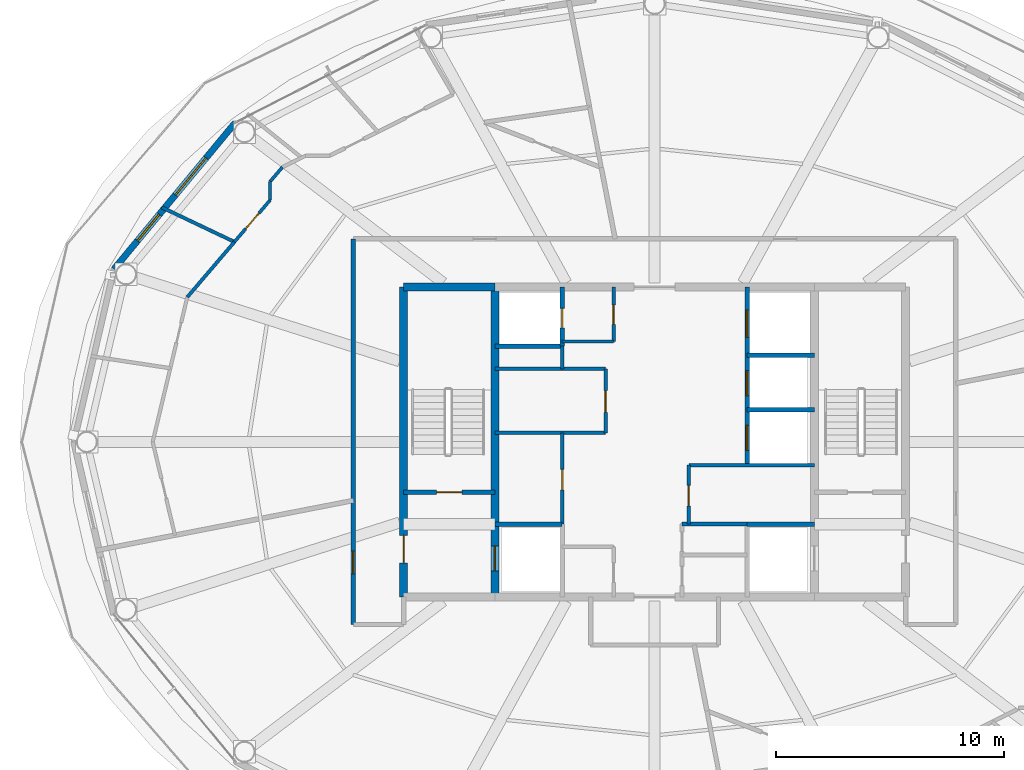
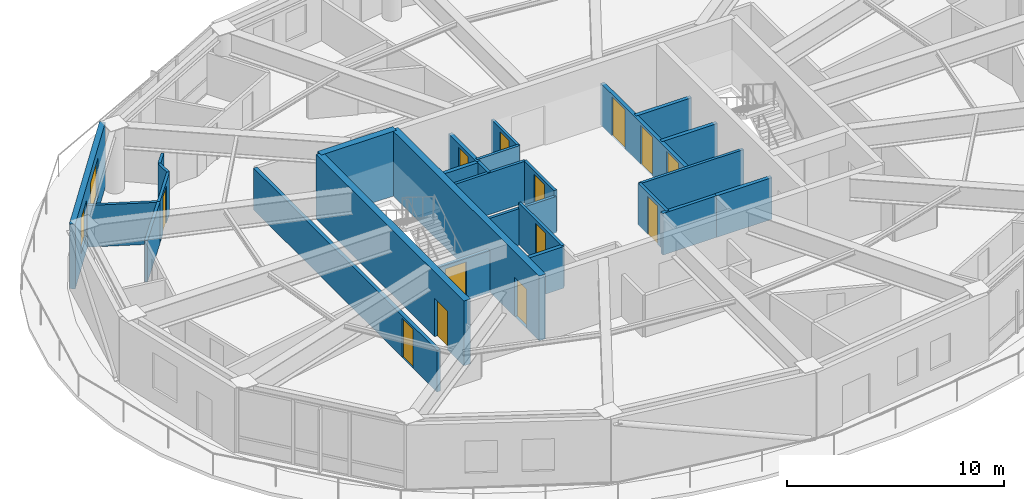
# One storey, part 19 of 24: 28 walls, 13 doors, 2 windows, 15 openings.
"""IFC4 building model written with IfcOpenShell, lengths in metres."""

from ifc_helpers import new_model, si_unit, direction, frame, frame_2d, origin, place, context, subcontext, project, spatial, rectangle, extrude, material, layer, layer_set, type_object, element, fill, save


model = new_model("IFC4")

# Units and contexts
model_context = context("Model", 3, precision=1e-05, world=origin(), true_north=direction((0.0, 1.0)))
body_context = subcontext(model_context, "Body", "Model", "MODEL_VIEW")
ifc_project = project(units=[si_unit("LENGTHUNIT", "METRE"), si_unit("AREAUNIT", "SQUARE_METRE"), si_unit("VOLUMEUNIT", "CUBIC_METRE"), si_unit("PLANEANGLEUNIT", "RADIAN"), si_unit("MASSUNIT", "GRAM", prefix="KILO")], contexts=[model_context])

# Site, building, storey
site_placement = place(None, origin())
site = spatial("IfcSite", under=ifc_project, at=site_placement, CompositionType="ELEMENT")
building_placement = place(site_placement, origin())
building = spatial("IfcBuilding", under=site, at=building_placement, Name="Sarneth Arch Tower", CompositionType="ELEMENT")
storey_placement = place(building_placement, frame((0.0, 0.0, 312.60009765625)))
storey = spatial("IfcBuildingStorey", under=building, at=storey_placement, Name="L81", CompositionType="ELEMENT", Elevation=312.60009765625)

# Wall
ifc_material_1 = material(Name="Concrete C50/60", Category="concrete")
ifc_layer_1 = layer(ifc_material_1, 0.35009765625)
ifc_layer_set_1 = layer_set([ifc_layer_1], Name="Concrete C50/60")
wall_type_1 = type_object("IfcWallType", Name="WALL-CORE-350", PredefinedType="SHEAR", material=ifc_layer_set_1)
wall_1_placement = place(storey_placement, frame((37.0, 48.800048828125, 0.0), z_axis=(0.0, 0.0, 1.0), x_axis=(1.0, 0.0, 0.0)))
element("IfcWall", 1, at=wall_1_placement, inside=storey, type_object=wall_type_1, Name="L81 Core shear wall N-W", PredefinedType="SHEAR", context=body_context, shape_type="SweptSolid", body=[
    extrude(rectangle(XDim=4.0, YDim=0.35009765625, at=frame_2d((2.0, 0.0))), origin(), (0.0, 0.0, 1.0), 3.639892578125),
])

# Wall, opening, door
wall_2_placement = place(storey_placement, frame((37.0, 35.199951171875, 0.0), z_axis=(0.0, 0.0, 1.0), x_axis=(0.0, 1.0, 0.0)))
wall_2 = element("IfcWall", 2, at=wall_2_placement, inside=storey, type_object=wall_type_1, Name="L81 Core shear wall W", PredefinedType="SHEAR", context=body_context, shape_type="SweptSolid", body=[
    extrude(rectangle(XDim=13.60009765625, YDim=0.35009765625, at=frame_2d((6.800048828125, 0.0))), origin(), (0.0, 0.0, 1.0), 3.639892578125),
])
opening_1_placement = place(wall_2_placement, frame((1.5, 0.0, 0.0)))
opening_1 = element("IfcOpeningElement", 3, at=opening_1_placement, cuts=wall_2, Name="Opening FD-02", PredefinedType="OPENING", context=body_context, shape_type="SweptSolid", body=[
    extrude(rectangle(XDim=1.199951171875, YDim=2.14990234375, at=frame_2d((0.60009765625, 1.074951171875))), frame((0.0, 0.18505859375, 0.0), z_axis=(0.0, -1.0, 0.0), x_axis=(1.0, 0.0, 0.0)), (0.0, 0.0, 1.0), 0.3701171875),
])
ifc_material_2 = material(Name="Galvanised Steel S275 fire door set", Category="steel")
door_type_1 = type_object("IfcDoorType", Name="DR-FD90-1200", OperationType="SINGLE_SWING_LEFT", PredefinedType="DOOR", material=ifc_material_2)
door_1_placement = place(opening_1_placement, origin())
door_1 = element("IfcDoor", 4, at=door_1_placement, inside=storey, type_object=door_type_1, Name="L81 Firefighting lobby 1 exit door", OperationType="SINGLE_SWING_LEFT", OverallHeight=2.14990234375, OverallWidth=1.199951171875, PredefinedType="DOOR", context=body_context, shape_type="SweptSolid", body=[
    extrude(rectangle(XDim=1.199951171875, YDim=2.14990234375, at=frame_2d((0.60009765625, 1.074951171875))), frame((0.0, 0.02490234375, 0.0), z_axis=(0.0, -1.0, 0.0), x_axis=(1.0, 0.0, 0.0)), (0.0, 0.0, 1.0), 0.050048828125),
])
fill(opening_1, door_1)

wall_3_placement = place(storey_placement, frame((41.0, 35.199951171875, 0.0), z_axis=(0.0, 0.0, 1.0), x_axis=(0.0, 1.0, 0.0)))
wall_3 = element("IfcWall", 5, at=wall_3_placement, inside=storey, type_object=wall_type_1, Name="L81 Core shear wall WEB-W", PredefinedType="SHEAR", context=body_context, shape_type="SweptSolid", body=[
    extrude(rectangle(XDim=13.60009765625, YDim=0.35009765625, at=frame_2d((6.800048828125, 0.0))), origin(), (0.0, 0.0, 1.0), 3.639892578125),
])
opening_2_placement = place(wall_3_placement, frame((1.14990234375, 0.0, 0.0)))
opening_2 = element("IfcOpeningElement", 6, at=opening_2_placement, cuts=wall_3, Name="Opening LD-1", PredefinedType="OPENING", context=body_context, shape_type="SweptSolid", body=[
    extrude(rectangle(XDim=1.10009765625, YDim=2.199951171875, at=frame_2d((0.550048828125, 1.10009765625))), frame((0.0, 0.18505859375, 0.0), z_axis=(0.0, -1.0, 0.0), x_axis=(1.0, 0.0, 0.0)), (0.0, 0.0, 1.0), 0.3701171875),
])
ifc_material_3 = material(Name="Brushed Stainless Steel 304 lift landing door", Category="steel")
door_type_2 = type_object("IfcDoorType", Name="DR-LIFT-SLIDE-1100", OperationType="SLIDING_TO_LEFT", PredefinedType="DOOR", material=ifc_material_3)
door_2_placement = place(opening_2_placement, origin())
door_2 = element("IfcDoor", 7, at=door_2_placement, inside=storey, type_object=door_type_2, Name="L81 Firefighting lift landing door FL-1", OperationType="SLIDING_TO_LEFT", OverallHeight=2.199951171875, OverallWidth=1.10009765625, PredefinedType="DOOR", context=body_context, shape_type="SweptSolid", body=[
    extrude(rectangle(XDim=1.10009765625, YDim=2.199951171875, at=frame_2d((0.550048828125, 1.10009765625))), frame((0.0, 0.02490234375, 0.0), z_axis=(0.0, -1.0, 0.0), x_axis=(1.0, 0.0, 0.0)), (0.0, 0.0, 1.0), 0.050048828125),
])
fill(opening_2, door_2)

ifc_material_4 = material(Name="Double steel-stud corridor fire wall", Category="steel")
ifc_layer_2 = layer(ifc_material_4, 0.18994140625)
ifc_layer_set_2 = layer_set([ifc_layer_2], Name="Double steel-stud corridor fire wall")
wall_type_2 = type_object("IfcWallType", Name="WALL-CORR-190", PredefinedType="PARTITIONING", material=ifc_layer_set_2)
wall_4_placement = place(storey_placement, frame((34.800048828125, 34.0, 0.0), z_axis=(0.0, 0.0, 1.0), x_axis=(0.0, 1.0, 0.0)))
wall_4 = element("IfcWall", 8, at=wall_4_placement, inside=storey, type_object=wall_type_2, Name="L81 Interior partition W-L81-TP-003", PredefinedType="PARTITIONING", context=body_context, shape_type="SweptSolid", body=[
    extrude(rectangle(XDim=16.89990234375, YDim=0.18994140625, at=frame_2d((8.449951171875, 0.0))), origin(), (0.0, 0.0, 1.0), 2.33984375),
])
opening_3_placement = place(wall_4_placement, frame((2.217041015625, 0.0, 0.0)))
opening_3 = element("IfcOpeningElement", 9, at=opening_3_placement, cuts=wall_4, Name="Opening FD-08", PredefinedType="OPENING", context=body_context, shape_type="SweptSolid", body=[
    extrude(rectangle(XDim=1.0, YDim=2.199951171875, at=frame_2d((0.5, 1.10009765625))), frame((0.0, 0.10498046875, 0.0), z_axis=(0.0, -1.0, 0.0), x_axis=(1.0, 0.0, 0.0)), (0.0, 0.0, 1.0), 0.2099609375),
])
ifc_material_5 = material(Name="Hardwood timber acoustic fire door", Category="wood")
door_type_3 = type_object("IfcDoorType", Name="DR-FD60-1000", OperationType="SINGLE_SWING_LEFT", PredefinedType="DOOR", material=ifc_material_5)
door_3_placement = place(opening_3_placement, origin())
door_3 = element("IfcDoor", 10, at=door_3_placement, inside=storey, type_object=door_type_3, Name="L81 Interior door DR-L81-RAMN-03", OperationType="SINGLE_SWING_LEFT", OverallHeight=2.199951171875, OverallWidth=1.0, PredefinedType="DOOR", context=body_context, shape_type="SweptSolid", body=[
    extrude(rectangle(XDim=1.0, YDim=2.199951171875, at=frame_2d((0.5, 1.10009765625))), frame((0.0, 0.02490234375, 0.0), z_axis=(0.0, -1.0, 0.0), x_axis=(1.0, 0.0, 0.0)), (0.0, 0.0, 1.0), 0.050048828125),
])
fill(opening_3, door_3)

# Wall, openings, windows
ifc_material_6 = material(Name="Extruded terracotta rainscreen on Concrete C40/50 backing", Category="masonry")
ifc_layer_3 = layer(ifc_material_6, 0.280029296875)
ifc_layer_set_3 = layer_set([ifc_layer_3], Name="Extruded terracotta rainscreen on Concrete C40/50 backing")
wall_type_3 = type_object("IfcWallType", Name="WALL-EXT-TERRA-280", PredefinedType="SOLIDWALL", material=ifc_layer_set_3)
wall_5_placement = place(storey_placement, frame((29.617431640625, 55.986572265625, 0.0), z_axis=(0.0, 0.0, 1.0), x_axis=(-0.63761509934, -0.770355103243, 0.0)))
wall_5 = element("IfcWall", 11, at=wall_5_placement, inside=storey, type_object=wall_type_3, Name="L81 Terracotta perimeter wall 07", PredefinedType="SOLIDWALL", context=body_context, shape_type="SweptSolid", body=[
    extrude(rectangle(XDim=8.329833984375, YDim=0.280029296875, at=frame_2d((4.1650390625, 0.0))), origin(), (0.0, 0.0, 1.0), 3.639892578125),
])
opening_4_placement = place(wall_5_placement, frame((2.005615234375, 0.0, 0.85009765625)))
opening_4 = element("IfcOpeningElement", 12, at=opening_4_placement, cuts=wall_5, Name="Opening W-03", PredefinedType="OPENING", context=body_context, shape_type="SweptSolid", body=[
    extrude(rectangle(XDim=2.10009765625, YDim=2.199951171875, at=frame_2d((1.050048828125, 1.10009765625))), frame((0.0, 0.14990234375, 0.0), z_axis=(0.0, -1.0, 0.0), x_axis=(1.0, 0.0, 0.0)), (0.0, 0.0, 1.0), 0.300048828125),
])
opening_5_placement = place(wall_5_placement, frame((5.210693359375, 0.0, 0.85009765625)))
opening_5 = element("IfcOpeningElement", 13, at=opening_5_placement, cuts=wall_5, Name="Opening W-06", PredefinedType="OPENING", context=body_context, shape_type="SweptSolid", body=[
    extrude(rectangle(XDim=1.5, YDim=2.0, at=frame_2d((0.75, 1.0))), frame((0.0, 0.14990234375, 0.0), z_axis=(0.0, -1.0, 0.0), x_axis=(1.0, 0.0, 0.0)), (0.0, 0.0, 1.0), 0.300048828125),
])
ifc_material_7 = material(Name="Thermally broken Aluminium 6063-T6 and low-e laminated IGU", Category="aluminium")
window_type_1 = type_object("IfcWindowType", Name="WIN-TWR-1500x2000", PartitioningType="SINGLE_PANEL", PredefinedType="WINDOW", material=ifc_material_7)
window_1_placement = place(opening_5_placement, origin())
window_1 = element("IfcWindow", 14, at=window_1_placement, inside=storey, type_object=window_type_1, Name="L81 Exterior window 07B", OverallHeight=2.0, OverallWidth=1.5, PartitioningType="SINGLE_PANEL", PredefinedType="WINDOW", context=body_context, shape_type="SweptSolid", body=[
    extrude(rectangle(XDim=1.5, YDim=2.0, at=frame_2d((0.75, 1.0))), frame((0.0, 0.030029296875, 0.0), z_axis=(0.0, -1.0, 0.0), x_axis=(1.0, 0.0, 0.0)), (0.0, 0.0, 1.0), 0.06005859375),
])
fill(opening_5, window_1)
ifc_material_8 = material(Name="Thermally broken Aluminium 6063-T6 and low-e laminated IGU", Category="aluminium")
window_type_2 = type_object("IfcWindowType", Name="WIN-TWR-2100x2200", PartitioningType="DOUBLE_PANEL_VERTICAL", PredefinedType="WINDOW", material=ifc_material_8)
window_2_placement = place(opening_4_placement, origin())
window_2 = element("IfcWindow", 15, at=window_2_placement, inside=storey, type_object=window_type_2, Name="L81 Exterior window 07A", OverallHeight=2.199951171875, OverallWidth=2.10009765625, PartitioningType="SINGLE_PANEL", PredefinedType="WINDOW", context=body_context, shape_type="SweptSolid", body=[
    extrude(rectangle(XDim=2.10009765625, YDim=2.199951171875, at=frame_2d((1.050048828125, 1.10009765625))), frame((0.0, 0.030029296875, 0.0), z_axis=(0.0, -1.0, 0.0), x_axis=(1.0, 0.0, 0.0)), (0.0, 0.0, 1.0), 0.06005859375),
])
fill(opening_4, window_2)

# Wall, opening, door
ifc_material_9 = material(Name="Apartment internal stud partition", Category="gypsum")
ifc_layer_4 = layer(ifc_material_9, 0.139892578125)
ifc_layer_set_4 = layer_set([ifc_layer_4], Name="Apartment internal stud partition")
wall_type_4 = type_object("IfcWallType", Name="WALL-PART-140", PredefinedType="PARTITIONING", material=ifc_layer_set_4)
wall_6_placement = place(storey_placement, frame((31.14990234375, 52.598876953125, 0.0), z_axis=(0.0, 0.0, 1.0), x_axis=(-0.649188051026, -0.760627947426, 0.0)))
wall_6 = element("IfcWall", 16, at=wall_6_placement, inside=storey, type_object=wall_type_4, Name="L81 Interior partition W-L81-TP-030", PredefinedType="PARTITIONING", context=body_context, shape_type="SweptSolid", body=[
    extrude(rectangle(XDim=2.409912109375, YDim=0.139892578125, at=frame_2d((1.205078125, 0.0))), origin(), (0.0, 0.0, 1.0), 2.33984375),
])
opening_6_placement = place(wall_6_placement, frame((0.7548828125, 0.0, 0.0)))
opening_6 = element("IfcOpeningElement", 17, at=opening_6_placement, cuts=wall_6, Name="Opening ID-01", PredefinedType="OPENING", context=body_context, shape_type="SweptSolid", body=[
    extrude(rectangle(XDim=0.89990234375, YDim=2.10009765625, at=frame_2d((0.449951171875, 1.050048828125))), frame((0.0, 0.079833984375, 0.0), z_axis=(0.0, -1.0, 0.0), x_axis=(1.0, 0.0, 0.0)), (0.0, 0.0, 1.0), 0.159912109375),
])
ifc_material_10 = material(Name="Engineered hardwood flush door", Category="wood")
door_type_4 = type_object("IfcDoorType", Name="DR-INT-900", OperationType="SINGLE_SWING_LEFT", PredefinedType="DOOR", material=ifc_material_10)
door_4_placement = place(opening_6_placement, origin())
door_4 = element("IfcDoor", 18, at=door_4_placement, inside=storey, type_object=door_type_4, Name="L81 Interior door DR-L81-U2-BED1", OperationType="SINGLE_SWING_LEFT", OverallHeight=2.10009765625, OverallWidth=0.89990234375, PredefinedType="DOOR", context=body_context, shape_type="SweptSolid", body=[
    extrude(rectangle(XDim=0.89990234375, YDim=2.10009765625, at=frame_2d((0.449951171875, 1.050048828125))), frame((0.0, 0.02490234375, 0.0), z_axis=(0.0, -1.0, 0.0), x_axis=(1.0, 0.0, 0.0)), (0.0, 0.0, 1.0), 0.050048828125),
])
fill(opening_6, door_4)

# Walls
wall_7_placement = place(storey_placement, frame((31.68896484375, 54.0419921875, 0.0), z_axis=(0.0, 0.0, 1.0), x_axis=(-0.649191857323, -0.760624698774, 0.0)))
element("IfcWall", 19, at=wall_7_placement, inside=storey, type_object=wall_type_4, Name="L81 Interior partition W-L81-TP-028", PredefinedType="PARTITIONING", context=body_context, shape_type="SweptSolid", body=[
    extrude(rectangle(XDim=0.830322265625, YDim=0.139892578125, at=frame_2d((0.4150390625, 0.0))), origin(), (0.0, 0.0, 1.0), 2.33984375),
])
wall_8_placement = place(storey_placement, frame((31.14990234375, 53.410400390625, 0.0), z_axis=(0.0, 0.0, 1.0), x_axis=(0.0, -1.0, 0.0)))
element("IfcWall", 20, at=wall_8_placement, inside=storey, type_object=wall_type_4, Name="L81 Interior partition W-L81-TP-029", PredefinedType="PARTITIONING", context=body_context, shape_type="SweptSolid", body=[
    extrude(rectangle(XDim=0.8115234375, YDim=0.139892578125, at=frame_2d((0.40576171875, 0.0))), origin(), (0.0, 0.0, 1.0), 2.33984375),
])

# Wall, opening, door
ifc_material_11 = material(Name="Acoustic gypsum stud partition", Category="gypsum")
ifc_layer_5 = layer(ifc_material_11, 0.14990234375)
ifc_layer_set_5 = layer_set([ifc_layer_5], Name="Acoustic gypsum stud partition")
wall_type_5 = type_object("IfcWallType", Name="WALL-PART-150", PredefinedType="PARTITIONING", material=ifc_layer_set_5)
wall_9_placement = place(storey_placement, frame((43.949951171875, 38.39990234375, 0.0), z_axis=(0.0, 0.0, 1.0), x_axis=(0.0, 1.0, 0.0)))
wall_9 = element("IfcWall", 21, at=wall_9_placement, inside=storey, type_object=wall_type_5, Name="L81 Interior partition W-L81-RECPL-E", PredefinedType="PARTITIONING", context=body_context, shape_type="SweptSolid", body=[
    extrude(rectangle(XDim=4.0, YDim=0.14990234375, at=frame_2d((2.0, 0.0))), origin(), (0.0, 0.0, 1.0), 2.33984375),
])
opening_7_placement = place(wall_9_placement, frame((1.5, 0.0, 0.0)))
opening_7 = element("IfcOpeningElement", 22, at=opening_7_placement, cuts=wall_9, Name="Opening FD-10", PredefinedType="OPENING", context=body_context, shape_type="SweptSolid", body=[
    extrude(rectangle(XDim=0.89990234375, YDim=2.14990234375, at=frame_2d((0.449951171875, 1.074951171875))), frame((0.0, 0.0849609375, 0.0), z_axis=(0.0, -1.0, 0.0), x_axis=(1.0, 0.0, 0.0)), (0.0, 0.0, 1.0), 0.169921875),
])
ifc_material_12 = material(Name="Galvanised Steel S275 riser/service fire door", Category="steel")
door_type_5 = type_object("IfcDoorType", Name="DR-FD60-900", OperationType="SINGLE_SWING_LEFT", PredefinedType="DOOR", material=ifc_material_12)
door_5_placement = place(opening_7_placement, origin())
door_5 = element("IfcDoor", 23, at=door_5_placement, inside=storey, type_object=door_type_5, Name="L81 Interior door DR-L81-RECPL", OperationType="SINGLE_SWING_LEFT", OverallHeight=2.14990234375, OverallWidth=0.89990234375, PredefinedType="DOOR", context=body_context, shape_type="SweptSolid", body=[
    extrude(rectangle(XDim=0.89990234375, YDim=2.14990234375, at=frame_2d((0.449951171875, 1.074951171875))), frame((0.0, 0.02490234375, 0.0), z_axis=(0.0, -1.0, 0.0), x_axis=(1.0, 0.0, 0.0)), (0.0, 0.0, 1.0), 0.050048828125),
])
fill(opening_7, door_5)

# Walls
wall_10_placement = place(storey_placement, frame((41.0, 42.39990234375, 0.0), z_axis=(0.0, 0.0, 1.0), x_axis=(1.0, 0.0, 0.0)))
element("IfcWall", 24, at=wall_10_placement, inside=storey, type_object=wall_type_5, Name="L81 Interior partition W-L81-RECPM1-S", PredefinedType="PARTITIONING", context=body_context, shape_type="SweptSolid", body=[
    extrude(rectangle(XDim=4.85009765625, YDim=0.14990234375, at=frame_2d((2.425048828125, 0.0))), origin(), (0.0, 0.0, 1.0), 2.039794921875),
])
wall_11_placement = place(storey_placement, frame((41.0, 45.199951171875, 0.0), z_axis=(0.0, 0.0, 1.0), x_axis=(1.0, 0.0, 0.0)))
element("IfcWall", 25, at=wall_11_placement, inside=storey, type_object=wall_type_5, Name="L81 Interior partition W-L81-RECPM1-N", PredefinedType="PARTITIONING", context=body_context, shape_type="SweptSolid", body=[
    extrude(rectangle(XDim=4.85009765625, YDim=0.14990234375, at=frame_2d((2.425048828125, 0.0))), origin(), (0.0, 0.0, 1.0), 2.33984375),
])
wall_12_placement = place(storey_placement, frame((43.949951171875, 45.199951171875, 0.0), z_axis=(0.0, 0.0, 1.0), x_axis=(0.0, 1.0, 0.0)))
element("IfcWall", 26, at=wall_12_placement, inside=storey, type_object=wall_type_5, Name="L81 Interior partition W-L81-RECPM1-W2", PredefinedType="PARTITIONING", context=body_context, shape_type="SweptSolid", body=[
    extrude(rectangle(XDim=1.0, YDim=0.14990234375, at=frame_2d((0.5, 0.0))), origin(), (0.0, 0.0, 1.0), 2.33984375),
])

# Wall, opening, door
wall_13_placement = place(storey_placement, frame((45.85009765625, 42.39990234375, 0.0), z_axis=(0.0, 0.0, 1.0), x_axis=(0.0, 1.0, 0.0)))
wall_13 = element("IfcWall", 27, at=wall_13_placement, inside=storey, type_object=wall_type_5, Name="L81 Interior partition W-L81-RECPM1-E", PredefinedType="PARTITIONING", context=body_context, shape_type="SweptSolid", body=[
    extrude(rectangle(XDim=2.800048828125, YDim=0.14990234375, at=frame_2d((1.39990234375, 0.0))), origin(), (0.0, 0.0, 1.0), 2.33984375),
])
opening_8_placement = place(wall_13_placement, frame((0.89990234375, 0.0, 0.0)))
opening_8 = element("IfcOpeningElement", 28, at=opening_8_placement, cuts=wall_13, Name="Opening FD-09", PredefinedType="OPENING", context=body_context, shape_type="SweptSolid", body=[
    extrude(rectangle(XDim=0.949951171875, YDim=2.14990234375, at=frame_2d((0.47509765625, 1.074951171875))), frame((0.0, 0.0849609375, 0.0), z_axis=(0.0, -1.0, 0.0), x_axis=(1.0, 0.0, 0.0)), (0.0, 0.0, 1.0), 0.169921875),
])
ifc_material_13 = material(Name="Hardwood timber hotel entrance fire door", Category="wood")
door_type_6 = type_object("IfcDoorType", Name="DR-FD60-950", OperationType="SINGLE_SWING_RIGHT", PredefinedType="DOOR", material=ifc_material_13)
door_6_placement = place(opening_8_placement, origin())
door_6 = element("IfcDoor", 29, at=door_6_placement, inside=storey, type_object=door_type_6, Name="L81 Interior door DR-L81-RECPM1", OperationType="SINGLE_SWING_RIGHT", OverallHeight=2.14990234375, OverallWidth=0.949951171875, PredefinedType="DOOR", context=body_context, shape_type="SweptSolid", body=[
    extrude(rectangle(XDim=0.949951171875, YDim=2.14990234375, at=frame_2d((0.47509765625, 1.074951171875))), frame((0.0, 0.02490234375, 0.0), z_axis=(0.0, -1.0, 0.0), x_axis=(1.0, 0.0, 0.0)), (0.0, 0.0, 1.0), 0.050048828125),
])
fill(opening_8, door_6)

# Wall
wall_14_placement = place(storey_placement, frame((49.5, 40.97998046875, 0.0), z_axis=(0.0, 0.0, 1.0), x_axis=(1.0, 0.0, 0.0)))
element("IfcWall", 30, at=wall_14_placement, inside=storey, type_object=wall_type_5, Name="L81 Interior partition W-L81-RECPM2-N", PredefinedType="PARTITIONING", context=body_context, shape_type="SweptSolid", body=[
    extrude(rectangle(XDim=5.5, YDim=0.14990234375, at=frame_2d((2.75, 0.0))), origin(), (0.0, 0.0, 1.0), 2.33984375),
])

# Wall, opening, door
wall_15_placement = place(storey_placement, frame((49.5, 38.39990234375, 0.0), z_axis=(0.0, 0.0, 1.0), x_axis=(0.0, 1.0, 0.0)))
wall_15 = element("IfcWall", 31, at=wall_15_placement, inside=storey, type_object=wall_type_5, Name="L81 Interior partition W-L81-RECPM2-W", PredefinedType="PARTITIONING", context=body_context, shape_type="SweptSolid", body=[
    extrude(rectangle(XDim=2.580078125, YDim=0.14990234375, at=frame_2d((1.2900390625, 0.0))), origin(), (0.0, 0.0, 1.0), 2.33984375),
])
opening_9_placement = place(wall_15_placement, frame((0.800048828125, 0.0, 0.0)))
opening_9 = element("IfcOpeningElement", 32, at=opening_9_placement, cuts=wall_15, Name="Opening FD-10", PredefinedType="OPENING", context=body_context, shape_type="SweptSolid", body=[
    extrude(rectangle(XDim=0.89990234375, YDim=2.14990234375, at=frame_2d((0.449951171875, 1.074951171875))), frame((0.0, 0.0849609375, 0.0), z_axis=(0.0, -1.0, 0.0), x_axis=(1.0, 0.0, 0.0)), (0.0, 0.0, 1.0), 0.169921875),
])
door_7_placement = place(opening_9_placement, origin())
door_7 = element("IfcDoor", 33, at=door_7_placement, inside=storey, type_object=door_type_5, Name="L81 Interior door DR-L81-RECPM2", OperationType="SINGLE_SWING_LEFT", OverallHeight=2.14990234375, OverallWidth=0.89990234375, PredefinedType="DOOR", context=body_context, shape_type="SweptSolid", body=[
    extrude(rectangle(XDim=0.89990234375, YDim=2.14990234375, at=frame_2d((0.449951171875, 1.074951171875))), frame((0.0, 0.02490234375, 0.0), z_axis=(0.0, -1.0, 0.0), x_axis=(1.0, 0.0, 0.0)), (0.0, 0.0, 1.0), 0.050048828125),
])
fill(opening_9, door_7)

# Wall
wall_16_placement = place(storey_placement, frame((43.949951171875, 46.39990234375, 0.0), z_axis=(0.0, 0.0, 1.0), x_axis=(1.0, 0.0, 0.0)))
element("IfcWall", 34, at=wall_16_placement, inside=storey, type_object=wall_type_5, Name="L81 Interior partition W-L81-CSUP2-S", PredefinedType="PARTITIONING", context=body_context, shape_type="SweptSolid", body=[
    extrude(rectangle(XDim=2.25, YDim=0.14990234375, at=frame_2d((1.125, 0.0))), origin(), (0.0, 0.0, 1.0), 2.33984375),
])

# Wall, opening, door
wall_17_placement = place(storey_placement, frame((46.199951171875, 46.39990234375, 0.0), z_axis=(0.0, 0.0, 1.0), x_axis=(0.0, 1.0, 0.0)))
wall_17 = element("IfcWall", 35, at=wall_17_placement, inside=storey, type_object=wall_type_5, Name="L81 Interior partition W-L81-CSUP2-E", PredefinedType="PARTITIONING", context=body_context, shape_type="SweptSolid", body=[
    extrude(rectangle(XDim=2.400146484375, YDim=0.14990234375, at=frame_2d((1.2001953125, 0.0))), origin(), (0.0, 0.0, 1.0), 2.33984375),
])
opening_10_placement = place(wall_17_placement, frame((0.75, 0.0, 0.0)))
opening_10 = element("IfcOpeningElement", 36, at=opening_10_placement, cuts=wall_17, Name="Opening FD-11", PredefinedType="OPENING", context=body_context, shape_type="SweptSolid", body=[
    extrude(rectangle(XDim=0.85009765625, YDim=2.14990234375, at=frame_2d((0.425048828125, 1.074951171875))), frame((0.0, 0.0849609375, 0.0), z_axis=(0.0, -1.0, 0.0), x_axis=(1.0, 0.0, 0.0)), (0.0, 0.0, 1.0), 0.169921875),
])
ifc_material_14 = material(Name="Galvanised Steel S275 closet fire door", Category="steel")
door_type_7 = type_object("IfcDoorType", Name="DR-FD60-850", OperationType="SINGLE_SWING_LEFT", PredefinedType="DOOR", material=ifc_material_14)
door_8_placement = place(opening_10_placement, origin())
door_8 = element("IfcDoor", 37, at=door_8_placement, inside=storey, type_object=door_type_7, Name="L81 Interior door DR-L81-CSUP2", OperationType="SINGLE_SWING_RIGHT", OverallHeight=2.14990234375, OverallWidth=0.85009765625, PredefinedType="DOOR", context=body_context, shape_type="SweptSolid", body=[
    extrude(rectangle(XDim=0.85009765625, YDim=2.14990234375, at=frame_2d((0.425048828125, 1.074951171875))), frame((0.0, 0.02490234375, 0.0), z_axis=(0.0, -1.0, 0.0), x_axis=(1.0, 0.0, 0.0)), (0.0, 0.0, 1.0), 0.050048828125),
])
fill(opening_10, door_8)

# Walls
wall_18_placement = place(storey_placement, frame((26.400390625, 52.281982421875, 0.0), z_axis=(0.0, 0.0, 1.0), x_axis=(0.902924474477, -0.429799247777, 0.0)))
element("IfcWall", 38, at=wall_18_placement, inside=storey, type_object=wall_type_5, Name="L81 Interior partition W-L81-TP-038", PredefinedType="PARTITIONING", context=body_context, shape_type="SweptSolid", body=[
    extrude(rectangle(XDim=3.527587890625, YDim=0.14990234375, at=frame_2d((1.763671875, 0.0))), origin(), (0.0, 0.0, 1.0), 2.33984375),
])
wall_19_placement = place(storey_placement, frame((29.58544921875, 50.765869140625, 0.0), z_axis=(0.0, 0.0, 1.0), x_axis=(-0.649223419945, -0.760597759, 0.0)))
element("IfcWall", 39, at=wall_19_placement, inside=storey, type_object=wall_type_5, Name="L81 Interior partition W-L81-TP-031", PredefinedType="PARTITIONING", context=body_context, shape_type="SweptSolid", body=[
    extrude(rectangle(XDim=3.182861328125, YDim=0.14990234375, at=frame_2d((1.59130859375, 0.0))), origin(), (0.0, 0.0, 1.0), 2.33984375),
])
ifc_material_15 = material(Name="Moisture-resistant plumbing chase wall", Category="gypsum")
ifc_layer_6 = layer(ifc_material_15, 0.179931640625)
ifc_layer_set_6 = layer_set([ifc_layer_6], Name="Moisture-resistant plumbing chase wall")
wall_type_6 = type_object("IfcWallType", Name="WALL-PLUMB-180", PredefinedType="PLUMBINGWALL", material=ifc_layer_set_6)
wall_20_placement = place(storey_placement, frame((49.199951171875, 38.39990234375, 0.0), z_axis=(0.0, 0.0, 1.0), x_axis=(1.0, 0.0, 0.0)))
element("IfcWall", 40, at=wall_20_placement, inside=storey, type_object=wall_type_6, Name="L81 Interior partition W-L81-AWC-N", PredefinedType="PLUMBINGWALL", context=body_context, shape_type="SweptSolid", body=[
    extrude(rectangle(XDim=2.85009765625, YDim=0.179931640625, at=frame_2d((1.425048828125, 0.0))), origin(), (0.0, 0.0, 1.0), 2.33984375),
])

# Wall, opening, door
ifc_material_16 = material(Name="Aerated concrete blockwork C25/30", Category="masonry")
ifc_layer_7 = layer(ifc_material_16, 0.199951171875)
ifc_layer_set_7 = layer_set([ifc_layer_7], Name="Aerated concrete blockwork C25/30")
wall_type_7 = type_object("IfcWallType", Name="WALL-SHAFT-200", PredefinedType="SOLIDWALL", material=ifc_layer_set_7)
wall_21_placement = place(storey_placement, frame((37.0, 39.800048828125, 0.0), z_axis=(0.0, 0.0, 1.0), x_axis=(1.0, 0.0, 0.0)))
wall_21 = element("IfcWall", 41, at=wall_21_placement, inside=storey, type_object=wall_type_7, Name="L81 Interior partition W-L81-ST1-S", PredefinedType="SOLIDWALL", context=body_context, shape_type="SweptSolid", body=[
    extrude(rectangle(XDim=4.0, YDim=0.199951171875, at=frame_2d((2.0, 0.0))), origin(), (0.0, 0.0, 1.0), 2.33984375),
])
opening_11_placement = place(wall_21_placement, frame((1.449951171875, 0.0, 0.0)))
opening_11 = element("IfcOpeningElement", 42, at=opening_11_placement, cuts=wall_21, Name="Opening FD-03", PredefinedType="OPENING", context=body_context, shape_type="SweptSolid", body=[
    extrude(rectangle(XDim=1.10009765625, YDim=2.14990234375, at=frame_2d((0.550048828125, 1.074951171875))), frame((0.0, 0.10986328125, 0.0), z_axis=(0.0, -1.0, 0.0), x_axis=(1.0, 0.0, 0.0)), (0.0, 0.0, 1.0), 0.219970703125),
])
ifc_material_17 = material(Name="Galvanised Steel S275 fire door set", Category="steel")
door_type_8 = type_object("IfcDoorType", Name="DR-FD90-1100", OperationType="SINGLE_SWING_LEFT", PredefinedType="DOOR", material=ifc_material_17)
door_9_placement = place(opening_11_placement, origin())
door_9 = element("IfcDoor", 43, at=door_9_placement, inside=storey, type_object=door_type_8, Name="L81 Interior door DR-L81-ST1", OperationType="SINGLE_SWING_LEFT", OverallHeight=2.14990234375, OverallWidth=1.10009765625, PredefinedType="DOOR", context=body_context, shape_type="SweptSolid", body=[
    extrude(rectangle(XDim=1.10009765625, YDim=2.14990234375, at=frame_2d((0.550048828125, 1.074951171875))), frame((0.0, 0.02490234375, 0.0), z_axis=(0.0, -1.0, 0.0), x_axis=(1.0, 0.0, 0.0)), (0.0, 0.0, 1.0), 0.050048828125),
])
fill(opening_11, door_9)

# Walls
for number, where, z_axis, x_axis, name in (
    (44, (41.0, 38.39990234375, 0.0), (0.0, 0.0, 1.0), (1.0, 0.0, 0.0), "L81 Interior partition W-L81-FL1-N"),
    (45, (52.050048828125, 38.39990234375, 0.0), (0.0, 0.0, 1.0), (1.0, 0.0, 0.0), "L81 Interior partition W-L81-FL2-N"),
    (46, (41.0, 46.199951171875, 0.0), (0.0, 0.0, 1.0), (1.0, 0.0, 0.0), "L81 Interior partition W-L81-RISER-S"),
):
    element("IfcWall", number, at=place(storey_placement, frame(where, z_axis=z_axis, x_axis=x_axis)), inside=storey, type_object=wall_type_7, Name=name, PredefinedType="SOLIDWALL", context=body_context, shape_type="SweptSolid", body=[
        extrude(rectangle(XDim=2.949951171875, YDim=0.199951171875, at=frame_2d((1.47509765625, 0.0))), origin(), (0.0, 0.0, 1.0), 2.33984375),
    ])

# Wall, opening, door
wall_22_placement = place(storey_placement, frame((43.949951171875, 46.199951171875, 0.0), z_axis=(0.0, 0.0, 1.0), x_axis=(0.0, 1.0, 0.0)))
wall_22 = element("IfcWall", 47, at=wall_22_placement, inside=storey, type_object=wall_type_7, Name="L81 Interior partition W-L81-RISER-E", PredefinedType="SOLIDWALL", context=body_context, shape_type="SweptSolid", body=[
    extrude(rectangle(XDim=2.60009765625, YDim=0.199951171875, at=frame_2d((1.300048828125, 0.0))), origin(), (0.0, 0.0, 1.0), 2.33984375),
])
opening_12_placement = place(wall_22_placement, frame((0.800048828125, 0.0, 0.0)))
opening_12 = element("IfcOpeningElement", 48, at=opening_12_placement, cuts=wall_22, Name="Opening FD-11", PredefinedType="OPENING", context=body_context, shape_type="SweptSolid", body=[
    extrude(rectangle(XDim=0.85009765625, YDim=2.14990234375, at=frame_2d((0.425048828125, 1.074951171875))), frame((0.0, 0.10986328125, 0.0), z_axis=(0.0, -1.0, 0.0), x_axis=(1.0, 0.0, 0.0)), (0.0, 0.0, 1.0), 0.219970703125),
])
door_10_placement = place(opening_12_placement, origin())
door_10 = element("IfcDoor", 49, at=door_10_placement, inside=storey, type_object=door_type_7, Name="L81 Lift landing door DR-L81-RISER", OperationType="SINGLE_SWING_LEFT", OverallHeight=2.14990234375, OverallWidth=0.85009765625, PredefinedType="DOOR", context=body_context, shape_type="SweptSolid", body=[
    extrude(rectangle(XDim=0.85009765625, YDim=2.14990234375, at=frame_2d((0.425048828125, 1.074951171875))), frame((0.0, 0.02490234375, 0.0), z_axis=(0.0, -1.0, 0.0), x_axis=(1.0, 0.0, 0.0)), (0.0, 0.0, 1.0), 0.050048828125),
])
fill(opening_12, door_10)

# Walls
for number, where, z_axis, x_axis, name in (
    (50, (52.050048828125, 43.419921875, 0.0), (0.0, 0.0, 1.0), (1.0, 0.0, 0.0), "L81 Interior partition W-L81-EB-DIV-4342"),
    (51, (52.050048828125, 45.800048828125, 0.0), (0.0, 0.0, 1.0), (1.0, 0.0, 0.0), "L81 Interior partition W-L81-EB-DIV-4580"),
):
    element("IfcWall", number, at=place(storey_placement, frame(where, z_axis=z_axis, x_axis=x_axis)), inside=storey, type_object=wall_type_7, Name=name, PredefinedType="SOLIDWALL", context=body_context, shape_type="SweptSolid", body=[
        extrude(rectangle(XDim=2.949951171875, YDim=0.199951171875, at=frame_2d((1.47509765625, 0.0))), origin(), (0.0, 0.0, 1.0), 2.33984375),
    ])

# Wall, openings, doors
wall_23_placement = place(storey_placement, frame((52.050048828125, 40.97998046875, 0.0), z_axis=(0.0, 0.0, 1.0), x_axis=(0.0, 1.0, 0.0)))
wall_23 = element("IfcWall", 52, at=wall_23_placement, inside=storey, type_object=wall_type_7, Name="L81 Interior partition W-L81-EASTBANK-UPPER", PredefinedType="SOLIDWALL", context=body_context, shape_type="SweptSolid", body=[
    extrude(rectangle(XDim=7.820068359375, YDim=0.199951171875, at=frame_2d((3.91015625, 0.0))), origin(), (0.0, 0.0, 1.0), 2.33984375),
])
opening_13_placement = place(wall_23_placement, frame((0.64990234375, 0.0, 0.0)))
opening_13 = element("IfcOpeningElement", 53, at=opening_13_placement, cuts=wall_23, Name="Opening LD-1", PredefinedType="OPENING", context=body_context, shape_type="SweptSolid", body=[
    extrude(rectangle(XDim=1.10009765625, YDim=2.199951171875, at=frame_2d((0.550048828125, 1.10009765625))), frame((0.0, 0.10986328125, 0.0), z_axis=(0.0, -1.0, 0.0), x_axis=(1.0, 0.0, 0.0)), (0.0, 0.0, 1.0), 0.219970703125),
])
opening_14_placement = place(wall_23_placement, frame((3.050048828125, 0.0, 0.0)))
opening_14 = element("IfcOpeningElement", 54, at=opening_14_placement, cuts=wall_23, Name="Opening LD-1", PredefinedType="OPENING", context=body_context, shape_type="SweptSolid", body=[
    extrude(rectangle(XDim=1.10009765625, YDim=2.199951171875, at=frame_2d((0.550048828125, 1.10009765625))), frame((0.0, 0.10986328125, 0.0), z_axis=(0.0, -1.0, 0.0), x_axis=(1.0, 0.0, 0.0)), (0.0, 0.0, 1.0), 0.219970703125),
])
opening_15_placement = place(wall_23_placement, frame((5.60009765625, 0.0, 0.0)))
opening_15 = element("IfcOpeningElement", 55, at=opening_15_placement, cuts=wall_23, Name="Opening LD-2", PredefinedType="OPENING", context=body_context, shape_type="SweptSolid", body=[
    extrude(rectangle(XDim=1.199951171875, YDim=2.199951171875, at=frame_2d((0.60009765625, 1.10009765625))), frame((0.0, 0.10986328125, 0.0), z_axis=(0.0, -1.0, 0.0), x_axis=(1.0, 0.0, 0.0)), (0.0, 0.0, 1.0), 0.219970703125),
])
door_11_placement = place(opening_13_placement, origin())
door_11 = element("IfcDoor", 56, at=door_11_placement, inside=storey, type_object=door_type_2, Name="L81 Lift landing door DR-L81-LD-PH1", OperationType="SLIDING_TO_RIGHT", OverallHeight=2.199951171875, OverallWidth=1.10009765625, PredefinedType="DOOR", context=body_context, shape_type="SweptSolid", body=[
    extrude(rectangle(XDim=1.10009765625, YDim=2.199951171875, at=frame_2d((0.550048828125, 1.10009765625))), frame((0.0, 0.02490234375, 0.0), z_axis=(0.0, -1.0, 0.0), x_axis=(1.0, 0.0, 0.0)), (0.0, 0.0, 1.0), 0.050048828125),
])
fill(opening_13, door_11)
door_12_placement = place(opening_14_placement, origin())
door_12 = element("IfcDoor", 57, at=door_12_placement, inside=storey, type_object=door_type_2, Name="L81 Lift landing door DR-L81-LD-PH2", OperationType="SLIDING_TO_LEFT", OverallHeight=2.199951171875, OverallWidth=1.10009765625, PredefinedType="DOOR", context=body_context, shape_type="SweptSolid", body=[
    extrude(rectangle(XDim=1.10009765625, YDim=2.199951171875, at=frame_2d((0.550048828125, 1.10009765625))), frame((0.0, 0.02490234375, 0.0), z_axis=(0.0, -1.0, 0.0), x_axis=(1.0, 0.0, 0.0)), (0.0, 0.0, 1.0), 0.050048828125),
])
fill(opening_14, door_12)
ifc_material_18 = material(Name="Brushed Stainless Steel 304 service lift door", Category="steel")
door_type_9 = type_object("IfcDoorType", Name="DR-LIFT-SLIDE-1200", OperationType="SLIDING_TO_RIGHT", PredefinedType="DOOR", material=ifc_material_18)
door_13_placement = place(opening_15_placement, origin())
door_13 = element("IfcDoor", 58, at=door_13_placement, inside=storey, type_object=door_type_9, Name="L81 Lift landing door DR-L81-LD-SL1", OperationType="SLIDING_TO_RIGHT", OverallHeight=2.199951171875, OverallWidth=1.199951171875, PredefinedType="DOOR", context=body_context, shape_type="SweptSolid", body=[
    extrude(rectangle(XDim=1.199951171875, YDim=2.199951171875, at=frame_2d((0.60009765625, 1.10009765625))), frame((0.0, 0.02490234375, 0.0), z_axis=(0.0, -1.0, 0.0), x_axis=(1.0, 0.0, 0.0)), (0.0, 0.0, 1.0), 0.050048828125),
])
fill(opening_15, door_13)

save(model, "model.ifc")
